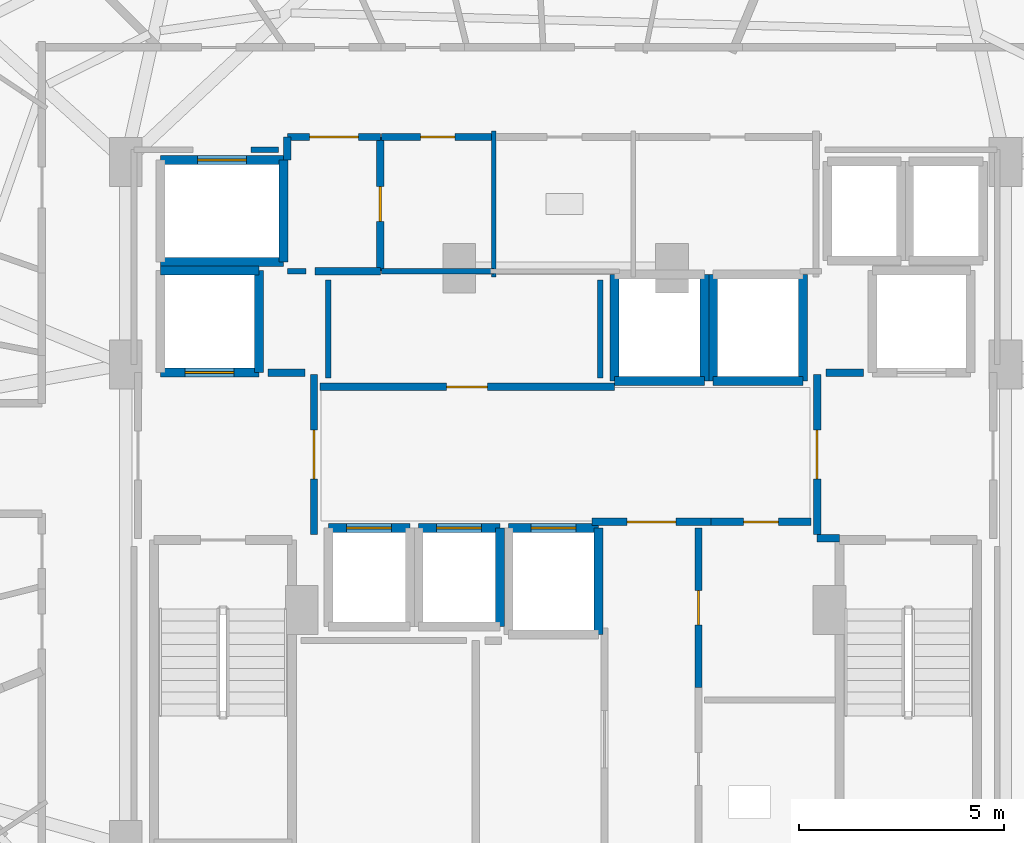
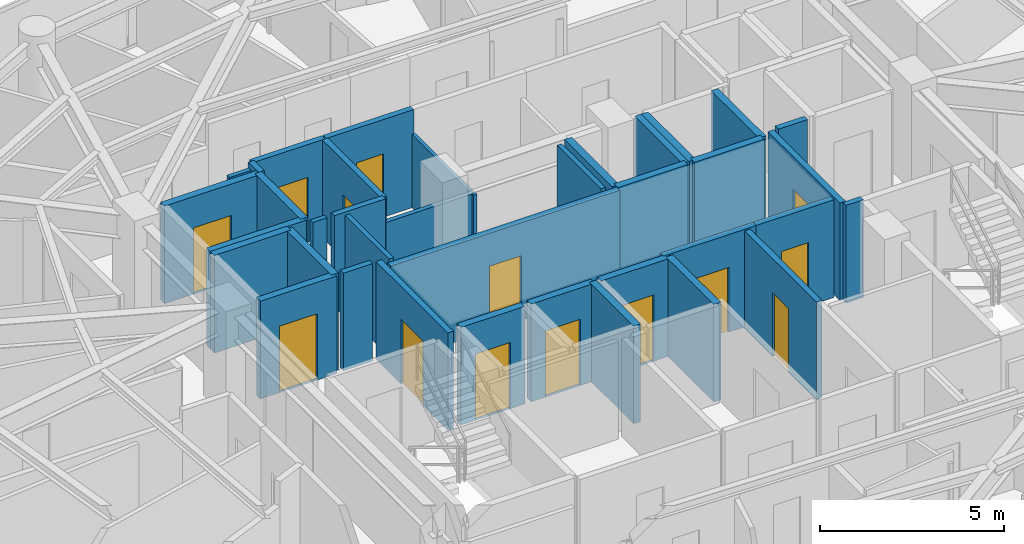
# One storey, part 22 of 28: 37 walls, 14 doors, 14 openings.
"""IFC4 building model written with IfcOpenShell, lengths in metres."""

import ifcopenshell
import ifcopenshell.guid

model = None  # the IFC model being written
_history = None  # IfcOwnerHistory: only IFC2X3 demands one
_inside = {}  # id of a spatial element -> (the spatial element, [elements in it])
_under = {}  # id of a project, library or spatial element -> (it, [spatial elements below it])
_declared = {}  # id of a project -> (the project, [libraries it declares])
_typed = {}  # id of a type object -> (the type object, [elements of that type])
_made_of = {}  # id of a material, layer set ... -> (it, [elements and type objects made of it])


def new_model(schema):
    """Start an empty IFC model of exactly this schema.

    Asked for "IFC4X3", IfcOpenShell would pick the latest addendum, in which some entities
    have other attributes; the version numbers below select the first issue.
    IFC2X3 requires an IfcOwnerHistory on every rooted entity: one is made here for all.
    """
    global model, _history
    if schema == "IFC4X3":
        model = ifcopenshell.file(schema_version=(4, 3, 0, 0))
    else:
        model = ifcopenshell.file(schema=schema)
    _inside.clear()
    _under.clear()
    _declared.clear()
    _typed.clear()
    _made_of.clear()
    _history = None
    if model.schema == "IFC2X3":
        org = make("IfcOrganization", Name="unknown")
        user = make(
            "IfcPersonAndOrganization",
            ThePerson=make("IfcPerson", FamilyName="unknown"),
            TheOrganization=org,
        )
        app = make(
            "IfcApplication",
            ApplicationDeveloper=org,
            Version="unknown",
            ApplicationFullName="unknown",
            ApplicationIdentifier="unknown",
        )
        _history = make(
            "IfcOwnerHistory",
            OwningUser=user,
            OwningApplication=app,
            ChangeAction="ADDED",
            CreationDate=0,
        )
    return model


def make(cls, **values):
    """One entity of the class cls with the attributes given. An attribute that is None is left unset."""
    return model.create_entity(
        cls, **{name: value for name, value in values.items() if value is not None}
    )


def rooted(cls, **values):
    """An entity with a GlobalId (a new one), such as an element, a storey or a relation."""
    return make(cls, GlobalId=ifcopenshell.guid.new(), OwnerHistory=_history, **values)


def si_unit(unit_type, name, prefix=None):
    """IfcSIUnit, for example si_unit("LENGTHUNIT", "METRE", prefix="MILLI")."""
    return make("IfcSIUnit", UnitType=unit_type, Prefix=prefix, Name=name)


def assignment(units):
    """IfcUnitAssignment: the units of a project."""
    return None if units is None else make("IfcUnitAssignment", Units=units)


def point(xyz):
    """IfcCartesianPoint."""
    return None if xyz is None else make("IfcCartesianPoint", Coordinates=xyz)


def direction(xyz):
    """IfcDirection."""
    return None if xyz is None else make("IfcDirection", DirectionRatios=xyz)


def frame(location, z_axis=None, x_axis=None):
    """IfcAxis2Placement3D, a coordinate frame: its origin and axes. An axis left out is left unset."""
    return make(
        "IfcAxis2Placement3D",
        Location=point(location),
        Axis=direction(z_axis),
        RefDirection=direction(x_axis),
    )


def frame_2d(location, x_axis=None):
    """IfcAxis2Placement2D, a coordinate frame in the plane: its origin and x axis."""
    return make(
        "IfcAxis2Placement2D", Location=point(location), RefDirection=direction(x_axis)
    )


def origin():
    """The frame at (0, 0, 0) with its axes left unset."""
    return frame((0.0, 0.0, 0.0))


def place(relative_to, where):
    """IfcLocalPlacement: puts the frame where relative to a parent placement (None: the world)."""
    return make(
        "IfcLocalPlacement", PlacementRelTo=relative_to, RelativePlacement=where
    )


def context(
    kind, dimensions, precision=None, world=None, true_north=None, identifier=None
):
    """IfcGeometricRepresentationContext, for example the 3D "Model" context."""
    return make(
        "IfcGeometricRepresentationContext",
        ContextIdentifier=identifier,
        ContextType=kind,
        CoordinateSpaceDimension=dimensions,
        Precision=precision,
        WorldCoordinateSystem=world,
        TrueNorth=true_north,
    )


def subcontext(parent, identifier, kind, view, scale=None):
    """IfcGeometricRepresentationSubContext, for example "Body" below "Model"."""
    return make(
        "IfcGeometricRepresentationSubContext",
        ContextIdentifier=identifier,
        ContextType=kind,
        ParentContext=parent,
        TargetScale=scale,
        TargetView=view,
    )


def project(units=None, contexts=None):
    """IfcProject with its units and contexts."""
    return rooted(
        "IfcProject",
        Name="project",
        RepresentationContexts=contexts,
        UnitsInContext=assignment(units),
    )


def spatial(cls, under=None, at=None, **own):
    """A site, building, storey or space (cls), placed at a placement, below another one or the project."""
    s = rooted(cls, ObjectPlacement=at, **own)
    if under is not None:
        _under.setdefault(under.id(), (under, []))[1].append(s)
    return s


def profile(cls, at=None, kind="AREA", **sizes):
    """A parametric profile (cls). Its sizes go by their IFC names, for example OverallWidth=200.0."""
    return make(cls, ProfileType=kind, Position=at, **sizes)


def rectangle(**sizes):
    """IfcRectangleProfileDef."""
    return profile("IfcRectangleProfileDef", **sizes)


def extrude(swept, where, along, depth):
    """IfcExtrudedAreaSolid: the profile swept, set in the frame where, extruded along a direction by depth."""
    return make(
        "IfcExtrudedAreaSolid",
        SweptArea=swept,
        Position=where,
        ExtrudedDirection=direction(along),
        Depth=depth,
    )


def shape(context_of_items, identifier, shape_type, items):
    """IfcShapeRepresentation: the items that make up one representation, for example the "Body"."""
    return make(
        "IfcShapeRepresentation",
        ContextOfItems=context_of_items,
        RepresentationIdentifier=identifier,
        RepresentationType=shape_type,
        Items=items,
    )


def material(Name=None, Category=None):
    """IfcMaterial."""
    return make("IfcMaterial", Name=Name, Category=Category)


def layer(
    of_material, thickness, ventilated=None, Name=None, Category=None, Priority=None
):
    """IfcMaterialLayer: one layer of a wall or slab, of a material (None: an air gap)."""
    return make(
        "IfcMaterialLayer",
        Material=of_material,
        LayerThickness=thickness,
        IsVentilated=ventilated,
        Name=Name,
        Category=Category,
        Priority=Priority,
    )


def layer_set(layers, Name=None):
    """IfcMaterialLayerSet."""
    return make("IfcMaterialLayerSet", MaterialLayers=layers, LayerSetName=Name)


def made_of(thing, what):
    """Note that an element or type object is made of a material, layer set ...; save() writes the relation."""
    if what is not None:
        _made_of.setdefault(what.id(), (what, []))[1].append(thing)
    return thing


def type_object(cls, material=None, **own):
    """A type object (cls), such as IfcWallType, which elements share."""
    return made_of(rooted(cls, **own), material)


def element(
    cls,
    number,
    at=None,
    inside=None,
    cuts=None,
    type_object=None,
    material=None,
    context=None,
    identifier="Body",
    shape_type=None,
    held_by="IfcProductDefinitionShape",
    body=None,
    shapes=None,
    **own,
):
    """One element of the class cls, such as IfcWall. Its Tag is "e" and its number.

    at: its placement. inside: the storey or other place that contains it. cuts: it is an
    opening in that element (IfcRelVoidsElement). A single representation is given by context,
    identifier, shape_type and body (its items); several are given by shapes. held_by: the class
    of the entity that holds the representations. save() writes the other relations.
    """
    e = rooted(cls, Tag="e%d" % number, ObjectPlacement=at, **own)
    if body is not None:
        shapes = [shape(context, identifier, shape_type, body)]
    if shapes is not None:
        e.Representation = make(held_by, Representations=shapes)
    if inside is not None:
        _inside.setdefault(inside.id(), (inside, []))[1].append(e)
    if cuts is not None:
        rooted(
            "IfcRelVoidsElement", RelatingBuildingElement=cuts, RelatedOpeningElement=e
        )
    if type_object is not None:
        _typed.setdefault(type_object.id(), (type_object, []))[1].append(e)
    return made_of(e, material)


def fill(opening, filler):
    """IfcRelFillsElement: the door or window that sits in an opening."""
    return rooted(
        "IfcRelFillsElement",
        RelatingOpeningElement=opening,
        RelatedBuildingElement=filler,
    )


def aggregate(whole, parts):
    """IfcRelAggregates: a whole, such as a stair, and the parts it consists of."""
    return rooted("IfcRelAggregates", RelatingObject=whole, RelatedObjects=parts)


def save(model, path):
    """Write the relations noted so far, then the file.

    IfcRelAggregates (storeys below a building ...), IfcRelContainedInSpatialStructure (elements
    in a storey), IfcRelDefinesByType, IfcRelAssociatesMaterial and IfcRelDeclares: one each for
    every whole, place, type object, material and project.
    """
    for whole, parts in _under.values():
        aggregate(whole, parts)
    for where, things in _inside.values():
        rooted(
            "IfcRelContainedInSpatialStructure",
            RelatedElements=things,
            RelatingStructure=where,
        )
    for kind, things in _typed.values():
        rooted("IfcRelDefinesByType", RelatedObjects=things, RelatingType=kind)
    for what, things in _made_of.values():
        rooted("IfcRelAssociatesMaterial", RelatedObjects=things, RelatingMaterial=what)
    for by, libraries in _declared.values():
        rooted("IfcRelDeclares", RelatingContext=by, RelatedDefinitions=libraries)
    model.write(path)


model = new_model("IFC4")

# Units and contexts
model_context = context("Model", 3, precision=1e-05, world=origin(), true_north=direction((0.0, 1.0)))
body_context = subcontext(model_context, "Body", "Model", "MODEL_VIEW")
ifc_project = project(units=[si_unit("LENGTHUNIT", "METRE"), si_unit("AREAUNIT", "SQUARE_METRE"), si_unit("VOLUMEUNIT", "CUBIC_METRE"), si_unit("PLANEANGLEUNIT", "RADIAN"), si_unit("MASSUNIT", "GRAM", prefix="KILO")], contexts=[model_context])

# Site, building, storey
site_placement = place(None, origin())
site = spatial("IfcSite", under=ifc_project, at=site_placement, CompositionType="ELEMENT")
building_placement = place(site_placement, origin())
building = spatial("IfcBuilding", under=site, at=building_placement, Name="Vorneva Point Tower", CompositionType="ELEMENT")
storey_placement = place(building_placement, frame((0.0, 0.0, 164.10009765625)))
storey = spatial("IfcBuildingStorey", under=building, at=storey_placement, Name="L44", CompositionType="ELEMENT", Elevation=164.10009765625)

# Wall, opening, door
ifc_material_1 = material(Name="Concrete B60 (C50/60)", Category="concrete")
ifc_layer_1 = layer(ifc_material_1, 0.5)
ifc_layer_set_1 = layer_set([ifc_layer_1], Name="Concrete B60 (C50/60)")
wall_type_1 = type_object("IfcWallType", Name="WL-CORE-500", PredefinedType="SHEAR", material=ifc_layer_set_1)
wall_1_placement = place(storey_placement, frame((28.10009765625, 28.0, 0.0), z_axis=(0.0, 0.0, 1.0), x_axis=(1.0, 0.0, 0.0)))
wall_1 = element("IfcWall", 1, at=wall_1_placement, inside=storey, type_object=wall_type_1, Name="L44 Lift FFL1 Shaft Wall -Y", PredefinedType="SHEAR", context=body_context, shape_type="SweptSolid", body=[
    extrude(rectangle(XDim=2.39990234375, YDim=0.219970703125, at=frame_2d((1.199951171875, 0.0))), origin(), (0.0, 0.0, 1.0), 3.239990234375),
])
opening_1_placement = place(wall_1_placement, frame((0.60009765625, 0.0, 0.0)))
opening_1 = element("IfcOpeningElement", 2, at=opening_1_placement, cuts=wall_1, Name="Opening LD-02", PredefinedType="OPENING", context=body_context, shape_type="SweptSolid", body=[
    extrude(rectangle(XDim=1.199951171875, YDim=2.199951171875, at=frame_2d((0.60009765625, 1.10009765625))), frame((0.0, 0.125, 0.0), z_axis=(0.0, -1.0, 0.0), x_axis=(1.0, 0.0, 0.0)), (0.0, 0.0, 1.0), 0.249755859375),
])
ifc_material_2 = material(Name="Brushed stainless steel S304", Category="steel")
door_type_1 = type_object("IfcDoorType", Name="LD-FIRE-1200", OperationType="SLIDING_TO_LEFT", PredefinedType="DOOR", material=ifc_material_2)
door_1_placement = place(opening_1_placement, origin())
door_1 = element("IfcDoor", 3, at=door_1_placement, inside=storey, type_object=door_type_1, Name="L44 Lift FFL1 Sliding Landing Door", OperationType="SLIDING_TO_LEFT", OverallHeight=2.199951171875, OverallWidth=1.199951171875, PredefinedType="DOOR", context=body_context, shape_type="SweptSolid", body=[
    extrude(rectangle(XDim=1.199951171875, YDim=2.199951171875, at=frame_2d((0.60009765625, 1.10009765625))), frame((0.0, 0.02490234375, 0.0), z_axis=(0.0, -1.0, 0.0), x_axis=(1.0, 0.0, 0.0)), (0.0, 0.0, 1.0), 0.050048828125),
])
fill(opening_1, door_1)

# Walls
wall_2_placement = place(storey_placement, frame((30.5, 28.0, 0.0), z_axis=(0.0, 0.0, 1.0), x_axis=(0.0, 1.0, 0.0)))
element("IfcWall", 4, at=wall_2_placement, inside=storey, type_object=wall_type_1, Name="L44 Lift FFL1 Shaft Wall +X", PredefinedType="SHEAR", context=body_context, shape_type="SweptSolid", body=[
    extrude(rectangle(XDim=2.5, YDim=0.219970703125, at=frame_2d((1.25, 0.0))), origin(), (0.0, 0.0, 1.0), 3.239990234375),
])
wall_3_placement = place(storey_placement, frame((30.5, 30.5, 0.0), z_axis=(0.0, 0.0, 1.0), x_axis=(-1.0, 0.0, 0.0)))
element("IfcWall", 5, at=wall_3_placement, inside=storey, type_object=wall_type_1, Name="L44 Lift FFL1 Shaft Wall +Y", PredefinedType="SHEAR", context=body_context, shape_type="SweptSolid", body=[
    extrude(rectangle(XDim=2.39990234375, YDim=0.219970703125, at=frame_2d((1.199951171875, 0.0))), origin(), (0.0, 0.0, 1.0), 3.239990234375),
])
ifc_material_3 = material(Name="Fire-rated acoustic gypsum stud partition", Category="gypsum")
ifc_layer_2 = layer(ifc_material_3, 0.110107421875)
ifc_layer_set_2 = layer_set([ifc_layer_2], Name="Fire-rated acoustic gypsum stud partition")
wall_type_2 = type_object("IfcWallType", Name="WL-PART-110", PredefinedType="PARTITIONING", material=ifc_layer_set_2)
wall_4_placement = place(storey_placement, frame((36.25, 30.340087890625, 0.0), z_axis=(0.0, 0.0, 1.0), x_axis=(0.0, 1.0, 0.0)))
element("IfcWall", 6, at=wall_4_placement, inside=storey, type_object=wall_type_2, Name="L44 Interior Partition 019", PredefinedType="PARTITIONING", context=body_context, shape_type="SweptSolid", body=[
    extrude(rectangle(XDim=3.559814453125, YDim=0.110107421875, at=frame_2d((1.77978515625, 0.0))), origin(), (0.0, 0.0, 1.0), 2.431884765625),
])
ifc_layer_3 = layer(ifc_material_3, 0.139892578125)
ifc_layer_set_3 = layer_set([ifc_layer_3], Name="Fire-rated acoustic gypsum stud partition")
wall_type_3 = type_object("IfcWallType", Name="WL-PART-140", PredefinedType="PARTITIONING", material=ifc_layer_set_3)
wall_5_placement = place(storey_placement, frame((33.5, 30.47998046875, 0.0), z_axis=(0.0, 0.0, 1.0), x_axis=(1.0, 0.0, 0.0)))
element("IfcWall", 7, at=wall_5_placement, inside=storey, type_object=wall_type_3, Name="L44 Interior Partition 020", PredefinedType="PARTITIONING", context=body_context, shape_type="SweptSolid", body=[
    extrude(rectangle(XDim=2.75, YDim=0.139892578125, at=frame_2d((1.375, 0.0))), origin(), (0.0, 0.0, 1.0), 2.431884765625),
])
wall_6_placement = place(storey_placement, frame((31.199951171875, 30.47998046875, 0.0), z_axis=(0.0, 0.0, 1.0), x_axis=(1.0, 0.0, 0.0)))
element("IfcWall", 8, at=wall_6_placement, inside=storey, type_object=wall_type_3, Name="L44 Interior Closure Partition 129", PredefinedType="PARTITIONING", context=body_context, shape_type="SweptSolid", body=[
    extrude(rectangle(XDim=0.449951171875, YDim=0.139892578125, at=frame_2d((0.22509765625, 0.0))), origin(), (0.0, 0.0, 1.0), 3.239990234375),
])
for number, where, z_axis, x_axis, name in (
    (9, (32.199951171875, 30.260009765625, 0.0), (0.0, 0.0, 1.0), (0.0, -1.0, 0.0), "L44 Interior Closure Partition 134"),
    (10, (38.85009765625, 27.8701171875, 0.0), (0.0, 0.0, 1.0), (0.0, 1.0, 0.0), "L44 Interior Closure Partition 135"),
):
    element("IfcWall", number, at=place(storey_placement, frame(where, z_axis=z_axis, x_axis=x_axis)), inside=storey, type_object=wall_type_3, Name=name, PredefinedType="PARTITIONING", context=body_context, shape_type="SweptSolid", body=[
        extrude(rectangle(XDim=2.389892578125, YDim=0.139892578125, at=frame_2d((1.19482421875, 0.0))), origin(), (0.0, 0.0, 1.0), 3.239990234375),
    ])
wall_7_placement = place(storey_placement, frame((30.97998046875, 33.449951171875, 0.0), z_axis=(0.0, 0.0, 1.0), x_axis=(-1.0, 0.0, 0.0)))
element("IfcWall", 11, at=wall_7_placement, inside=storey, type_object=wall_type_3, Name="L44 Interior Closure Partition 139", PredefinedType="PARTITIONING", context=body_context, shape_type="SweptSolid", body=[
    extrude(rectangle(XDim=0.674072265625, YDim=0.139892578125, at=frame_2d((0.3369140625, 0.0))), origin(), (0.0, 0.0, 1.0), 3.239990234375),
])

# Wall, opening, door
ifc_material_4 = material(Name="Autoclaved aerated concrete blockwork", Category="masonry")
ifc_layer_4 = layer(ifc_material_4, 0.179931640625)
ifc_layer_set_4 = layer_set([ifc_layer_4], Name="Autoclaved aerated concrete blockwork")
wall_type_4 = type_object("IfcWallType", Name="WL-PART-180", PredefinedType="PARTITIONING", material=ifc_layer_set_4)
wall_8_placement = place(storey_placement, frame((31.85009765625, 24.044921875, 0.0), z_axis=(0.0, 0.0, 1.0), x_axis=(0.0, 1.0, 0.0)))
wall_8 = element("IfcWall", 12, at=wall_8_placement, inside=storey, type_object=wall_type_4, Name="L44 Interior Partition 001", PredefinedType="PARTITIONING", context=body_context, shape_type="SweptSolid", body=[
    extrude(rectangle(XDim=3.91015625, YDim=0.179931640625, at=frame_2d((1.955078125, 0.0))), origin(), (0.0, 0.0, 1.0), 3.239990234375),
])
opening_2_placement = place(wall_8_placement, frame((1.35498046875, 0.0, 0.0)))
opening_2 = element("IfcOpeningElement", 13, at=opening_2_placement, cuts=wall_8, Name="Opening FD-02", PredefinedType="OPENING", context=body_context, shape_type="SweptSolid", body=[
    extrude(rectangle(XDim=1.199951171875, YDim=2.14990234375, at=frame_2d((0.60009765625, 1.074951171875))), frame((0.0, 0.10498046875, 0.0), z_axis=(0.0, -1.0, 0.0), x_axis=(1.0, 0.0, 0.0)), (0.0, 0.0, 1.0), 0.209716796875),
])
ifc_material_5 = material(Name="Fire-rated powder-coated steel", Category="steel")
door_type_2 = type_object("IfcDoorType", Name="DR-FFL-1200", OperationType="NOTDEFINED", PredefinedType="DOOR", material=ifc_material_5)
door_2_placement = place(opening_2_placement, origin())
door_2 = element("IfcDoor", 14, at=door_2_placement, inside=storey, type_object=door_type_2, Name="L44 Door West Firefighting Lobby / Central Lift Lobby", OperationType="SINGLE_SWING_RIGHT", OverallHeight=2.14990234375, OverallWidth=1.199951171875, PredefinedType="DOOR", context=body_context, shape_type="SweptSolid", body=[
    extrude(rectangle(XDim=1.199951171875, YDim=2.14990234375, at=frame_2d((0.60009765625, 1.074951171875))), frame((0.0, 0.02490234375, 0.0), z_axis=(0.0, -1.0, 0.0), x_axis=(1.0, 0.0, 0.0)), (0.0, 0.0, 1.0), 0.050048828125),
])
fill(opening_2, door_2)

wall_9_placement = place(storey_placement, frame((44.14990234375, 27.955078125, 0.0), z_axis=(0.0, 0.0, 1.0), x_axis=(0.0, -1.0, 0.0)))
wall_9 = element("IfcWall", 15, at=wall_9_placement, inside=storey, type_object=wall_type_4, Name="L44 Interior Partition 003", PredefinedType="PARTITIONING", context=body_context, shape_type="SweptSolid", body=[
    extrude(rectangle(XDim=3.91015625, YDim=0.179931640625, at=frame_2d((1.955078125, 0.0))), origin(), (0.0, 0.0, 1.0), 3.239990234375),
])
opening_3_placement = place(wall_9_placement, frame((1.35498046875, 0.0, 0.0)))
opening_3 = element("IfcOpeningElement", 16, at=opening_3_placement, cuts=wall_9, Name="Opening FD-02", PredefinedType="OPENING", context=body_context, shape_type="SweptSolid", body=[
    extrude(rectangle(XDim=1.199951171875, YDim=2.14990234375, at=frame_2d((0.60009765625, 1.074951171875))), frame((0.0, 0.10498046875, 0.0), z_axis=(0.0, -1.0, 0.0), x_axis=(1.0, 0.0, 0.0)), (0.0, 0.0, 1.0), 0.209716796875),
])
door_3_placement = place(opening_3_placement, origin())
door_3 = element("IfcDoor", 17, at=door_3_placement, inside=storey, type_object=door_type_2, Name="L44 Door East Firefighting Lobby / Central Lift Lobby", OperationType="SINGLE_SWING_RIGHT", OverallHeight=2.14990234375, OverallWidth=1.199951171875, PredefinedType="DOOR", context=body_context, shape_type="SweptSolid", body=[
    extrude(rectangle(XDim=1.199951171875, YDim=2.14990234375, at=frame_2d((0.60009765625, 1.074951171875))), frame((0.0, 0.02490234375, 0.0), z_axis=(0.0, -1.0, 0.0), x_axis=(1.0, 0.0, 0.0)), (0.0, 0.0, 1.0), 0.050048828125),
])
fill(opening_3, door_3)

# Wall
wall_10_placement = place(storey_placement, frame((44.14990234375, 23.949951171875, 0.0), z_axis=(0.0, 0.0, 1.0), x_axis=(1.0, 0.0, 0.0)))
element("IfcWall", 18, at=wall_10_placement, inside=storey, type_object=wall_type_4, Name="L44 Interior Partition 004", PredefinedType="PARTITIONING", context=body_context, shape_type="SweptSolid", body=[
    extrude(rectangle(XDim=0.5400390625, YDim=0.179931640625, at=frame_2d((0.27001953125, 0.0))), origin(), (0.0, 0.0, 1.0), 3.239990234375),
])

# Wall, opening, door
wall_11_placement = place(storey_placement, frame((33.469970703125, 30.47998046875, 0.0), z_axis=(0.0, 0.0, 1.0), x_axis=(0.0, 1.0, 0.0)))
wall_11 = element("IfcWall", 19, at=wall_11_placement, inside=storey, type_object=wall_type_4, Name="L44 Interior Partition 006", PredefinedType="PARTITIONING", context=body_context, shape_type="SweptSolid", body=[
    extrude(rectangle(XDim=3.280029296875, YDim=0.179931640625, at=frame_2d((1.64013671875, 0.0))), origin(), (0.0, 0.0, 1.0), 3.239990234375),
])
opening_4_placement = place(wall_11_placement, frame((1.215087890625, 0.0, 0.0)))
opening_4 = element("IfcOpeningElement", 20, at=opening_4_placement, cuts=wall_11, Name="Opening ID-02", PredefinedType="OPENING", context=body_context, shape_type="SweptSolid", body=[
    extrude(rectangle(XDim=0.85009765625, YDim=2.10009765625, at=frame_2d((0.425048828125, 1.050048828125))), frame((0.0, 0.10498046875, 0.0), z_axis=(0.0, -1.0, 0.0), x_axis=(1.0, 0.0, 0.0)), (0.0, 0.0, 1.0), 0.209716796875),
])
ifc_material_6 = material(Name="Engineered oak fire-rated door leaf", Category="wood")
door_type_3 = type_object("IfcDoorType", Name="DR-BATH-850", OperationType="NOTDEFINED", PredefinedType="DOOR", material=ifc_material_6)
door_4_placement = place(opening_4_placement, origin())
door_4 = element("IfcDoor", 21, at=door_4_placement, inside=storey, type_object=door_type_3, Name="L44 Door Service Lift Lobby / Core Supply Store", OperationType="SINGLE_SWING_RIGHT", OverallHeight=2.10009765625, OverallWidth=0.85009765625, PredefinedType="DOOR", context=body_context, shape_type="SweptSolid", body=[
    extrude(rectangle(XDim=0.85009765625, YDim=2.10009765625, at=frame_2d((0.425048828125, 1.050048828125))), frame((0.0, 0.02490234375, 0.0), z_axis=(0.0, -1.0, 0.0), x_axis=(1.0, 0.0, 0.0)), (0.0, 0.0, 1.0), 0.050048828125),
])
fill(opening_4, door_4)

# Wall
wall_12_placement = place(storey_placement, frame((31.8701171875, 30.47998046875, 0.0), z_axis=(0.0, 0.0, 1.0), x_axis=(1.0, 0.0, 0.0)))
element("IfcWall", 22, at=wall_12_placement, inside=storey, type_object=wall_type_4, Name="L44 Interior Partition 007", PredefinedType="PARTITIONING", context=body_context, shape_type="SweptSolid", body=[
    extrude(rectangle(XDim=1.599853515625, YDim=0.179931640625, at=frame_2d((0.7998046875, 0.0))), origin(), (0.0, 0.0, 1.0), 3.239990234375),
])

# Wall, opening, door
wall_13_placement = place(storey_placement, frame((33.469970703125, 33.760009765625, 0.0), z_axis=(0.0, 0.0, 1.0), x_axis=(-1.0, 0.0, 0.0)))
wall_13 = element("IfcWall", 23, at=wall_13_placement, inside=storey, type_object=wall_type_4, Name="L44 Interior Partition 008", PredefinedType="PARTITIONING", context=body_context, shape_type="SweptSolid", body=[
    extrude(rectangle(XDim=2.27001953125, YDim=0.179931640625, at=frame_2d((1.135009765625, 0.0))), origin(), (0.0, 0.0, 1.0), 3.239990234375),
])
opening_5_placement = place(wall_13_placement, frame((0.534912109375, 0.0, 0.0)))
opening_5 = element("IfcOpeningElement", 24, at=opening_5_placement, cuts=wall_13, Name="Opening FD-02", PredefinedType="OPENING", context=body_context, shape_type="SweptSolid", body=[
    extrude(rectangle(XDim=1.199951171875, YDim=2.14990234375, at=frame_2d((0.60009765625, 1.074951171875))), frame((0.0, 0.10498046875, 0.0), z_axis=(0.0, -1.0, 0.0), x_axis=(1.0, 0.0, 0.0)), (0.0, 0.0, 1.0), 0.209716796875),
])
door_5_placement = place(opening_5_placement, origin())
door_5 = element("IfcDoor", 25, at=door_5_placement, inside=storey, type_object=door_type_2, Name="L44 Door Service Lift Lobby / L44 Circulation Corridor", OperationType="SINGLE_SWING_LEFT", OverallHeight=2.14990234375, OverallWidth=1.199951171875, PredefinedType="DOOR", context=body_context, shape_type="SweptSolid", body=[
    extrude(rectangle(XDim=1.199951171875, YDim=2.14990234375, at=frame_2d((0.60009765625, 1.074951171875))), frame((0.0, 0.02490234375, 0.0), z_axis=(0.0, -1.0, 0.0), x_axis=(1.0, 0.0, 0.0)), (0.0, 0.0, 1.0), 0.050048828125),
])
fill(opening_5, door_5)

# Wall
wall_14_placement = place(storey_placement, frame((31.199951171875, 33.760009765625, 0.0), z_axis=(0.0, 0.0, 1.0), x_axis=(0.0, -1.0, 0.0)))
element("IfcWall", 26, at=wall_14_placement, inside=storey, type_object=wall_type_4, Name="L44 Interior Partition 009", PredefinedType="PARTITIONING", context=body_context, shape_type="SweptSolid", body=[
    extrude(rectangle(XDim=0.56005859375, YDim=0.179931640625, at=frame_2d((0.280029296875, 0.0))), origin(), (0.0, 0.0, 1.0), 3.239990234375),
])

# Wall, opening, door
wall_15_placement = place(storey_placement, frame((38.64501953125, 24.35009765625, 0.0), z_axis=(0.0, 0.0, 1.0), x_axis=(1.0, 0.0, 0.0)))
wall_15 = element("IfcWall", 27, at=wall_15_placement, inside=storey, type_object=wall_type_4, Name="L44 Interior Partition 010", PredefinedType="PARTITIONING", context=body_context, shape_type="SweptSolid", body=[
    extrude(rectangle(XDim=2.909912109375, YDim=0.179931640625, at=frame_2d((1.455078125, 0.0))), origin(), (0.0, 0.0, 1.0), 3.239990234375),
])
opening_6_placement = place(wall_15_placement, frame((0.85498046875, 0.0, 0.0)))
opening_6 = element("IfcOpeningElement", 28, at=opening_6_placement, cuts=wall_15, Name="Opening FD-02", PredefinedType="OPENING", context=body_context, shape_type="SweptSolid", body=[
    extrude(rectangle(XDim=1.199951171875, YDim=2.14990234375, at=frame_2d((0.60009765625, 1.074951171875))), frame((0.0, 0.10498046875, 0.0), z_axis=(0.0, -1.0, 0.0), x_axis=(1.0, 0.0, 0.0)), (0.0, 0.0, 1.0), 0.209716796875),
])
door_6_placement = place(opening_6_placement, origin())
door_6 = element("IfcDoor", 29, at=door_6_placement, inside=storey, type_object=door_type_2, Name="L44 Door Central Lift Lobby / Core Service Lobby", OperationType="SINGLE_SWING_RIGHT", OverallHeight=2.14990234375, OverallWidth=1.199951171875, PredefinedType="DOOR", context=body_context, shape_type="SweptSolid", body=[
    extrude(rectangle(XDim=1.199951171875, YDim=2.14990234375, at=frame_2d((0.60009765625, 1.074951171875))), frame((0.0, 0.02490234375, 0.0), z_axis=(0.0, -1.0, 0.0), x_axis=(1.0, 0.0, 0.0)), (0.0, 0.0, 1.0), 0.050048828125),
])
fill(opening_6, door_6)

wall_16_placement = place(storey_placement, frame((41.554931640625, 24.35009765625, 0.0), z_axis=(0.0, 0.0, 1.0), x_axis=(1.0, 0.0, 0.0)))
wall_16 = element("IfcWall", 30, at=wall_16_placement, inside=storey, type_object=wall_type_4, Name="L44 Interior Partition 011", PredefinedType="PARTITIONING", context=body_context, shape_type="SweptSolid", body=[
    extrude(rectangle(XDim=2.445068359375, YDim=0.179931640625, at=frame_2d((1.22265625, 0.0))), origin(), (0.0, 0.0, 1.0), 3.239990234375),
])
opening_7_placement = place(wall_16_placement, frame((0.797607421875, 0.0, 0.0)))
opening_7 = element("IfcOpeningElement", 31, at=opening_7_placement, cuts=wall_16, Name="Opening ID-02", PredefinedType="OPENING", context=body_context, shape_type="SweptSolid", body=[
    extrude(rectangle(XDim=0.85009765625, YDim=2.10009765625, at=frame_2d((0.425048828125, 1.050048828125))), frame((0.0, 0.10498046875, 0.0), z_axis=(0.0, -1.0, 0.0), x_axis=(1.0, 0.0, 0.0)), (0.0, 0.0, 1.0), 0.209716796875),
])
door_7_placement = place(opening_7_placement, origin())
door_7 = element("IfcDoor", 32, at=door_7_placement, inside=storey, type_object=door_type_3, Name="L44 Door Central Lift Lobby / Valet and Parcel Room", OperationType="SINGLE_SWING_LEFT", OverallHeight=2.10009765625, OverallWidth=0.85009765625, PredefinedType="DOOR", context=body_context, shape_type="SweptSolid", body=[
    extrude(rectangle(XDim=0.85009765625, YDim=2.10009765625, at=frame_2d((0.425048828125, 1.050048828125))), frame((0.0, 0.02490234375, 0.0), z_axis=(0.0, -1.0, 0.0), x_axis=(1.0, 0.0, 0.0)), (0.0, 0.0, 1.0), 0.050048828125),
])
fill(opening_7, door_7)

wall_17_placement = place(storey_placement, frame((39.18994140625, 27.64990234375, 0.0), z_axis=(0.0, 0.0, 1.0), x_axis=(-1.0, 0.0, 0.0)))
wall_17 = element("IfcWall", 33, at=wall_17_placement, inside=storey, type_object=wall_type_4, Name="L44 Interior Partition 012", PredefinedType="PARTITIONING", context=body_context, shape_type="SweptSolid", body=[
    extrude(rectangle(XDim=7.18994140625, YDim=0.179931640625, at=frame_2d((3.594970703125, 0.0))), origin(), (0.0, 0.0, 1.0), 3.239990234375),
])
opening_8_placement = place(wall_17_placement, frame((3.094970703125, 0.0, 0.0)))
opening_8 = element("IfcOpeningElement", 34, at=opening_8_placement, cuts=wall_17, Name="Opening UD-01", PredefinedType="OPENING", context=body_context, shape_type="SweptSolid", body=[
    extrude(rectangle(XDim=1.0, YDim=2.14990234375, at=frame_2d((0.5, 1.074951171875))), frame((0.0, 0.10498046875, 0.0), z_axis=(0.0, -1.0, 0.0), x_axis=(1.0, 0.0, 0.0)), (0.0, 0.0, 1.0), 0.209716796875),
])
door_type_4 = type_object("IfcDoorType", Name="DR-UNIT-1000", OperationType="NOTDEFINED", PredefinedType="DOOR", material=ifc_material_6)
door_8_placement = place(opening_8_placement, origin())
door_8 = element("IfcDoor", 35, at=door_8_placement, inside=storey, type_object=door_type_4, Name="L44 Door Central Lift Lobby / Reclaimed Core Meeting Room", OperationType="SINGLE_SWING_RIGHT", OverallHeight=2.14990234375, OverallWidth=1.0, PredefinedType="DOOR", context=body_context, shape_type="SweptSolid", body=[
    extrude(rectangle(XDim=1.0, YDim=2.14990234375, at=frame_2d((0.5, 1.074951171875))), frame((0.0, 0.02490234375, 0.0), z_axis=(0.0, -1.0, 0.0), x_axis=(1.0, 0.0, 0.0)), (0.0, 0.0, 1.0), 0.050048828125),
])
fill(opening_8, door_8)

wall_18_placement = place(storey_placement, frame((41.25, 20.304931640625, 0.0), z_axis=(0.0, 0.0, 1.0), x_axis=(0.0, 1.0, 0.0)))
wall_18 = element("IfcWall", 36, at=wall_18_placement, inside=storey, type_object=wall_type_4, Name="L44 Interior Partition 014", PredefinedType="PARTITIONING", context=body_context, shape_type="SweptSolid", body=[
    extrude(rectangle(XDim=3.89501953125, YDim=0.179931640625, at=frame_2d((1.947509765625, 0.0))), origin(), (0.0, 0.0, 1.0), 3.239990234375),
])
opening_9_placement = place(wall_18_placement, frame((1.5224609375, 0.0, 0.0)))
opening_9 = element("IfcOpeningElement", 37, at=opening_9_placement, cuts=wall_18, Name="Opening ID-02", PredefinedType="OPENING", context=body_context, shape_type="SweptSolid", body=[
    extrude(rectangle(XDim=0.85009765625, YDim=2.10009765625, at=frame_2d((0.425048828125, 1.050048828125))), frame((0.0, 0.10498046875, 0.0), z_axis=(0.0, -1.0, 0.0), x_axis=(1.0, 0.0, 0.0)), (0.0, 0.0, 1.0), 0.209716796875),
])
door_9_placement = place(opening_9_placement, origin())
door_9 = element("IfcDoor", 38, at=door_9_placement, inside=storey, type_object=door_type_3, Name="L44 Door Core Service Lobby / Valet and Parcel Room", OperationType="SINGLE_SWING_RIGHT", OverallHeight=2.10009765625, OverallWidth=0.85009765625, PredefinedType="DOOR", context=body_context, shape_type="SweptSolid", body=[
    extrude(rectangle(XDim=0.85009765625, YDim=2.10009765625, at=frame_2d((0.425048828125, 1.050048828125))), frame((0.0, 0.02490234375, 0.0), z_axis=(0.0, -1.0, 0.0), x_axis=(1.0, 0.0, 0.0)), (0.0, 0.0, 1.0), 0.050048828125),
])
fill(opening_9, door_9)

wall_19_placement = place(storey_placement, frame((36.25, 33.760009765625, 0.0), z_axis=(0.0, 0.0, 1.0), x_axis=(-1.0, 0.0, 0.0)))
wall_19 = element("IfcWall", 39, at=wall_19_placement, inside=storey, type_object=wall_type_4, Name="L44 Interior Partition 021", PredefinedType="PARTITIONING", context=body_context, shape_type="SweptSolid", body=[
    extrude(rectangle(XDim=2.75, YDim=0.179931640625, at=frame_2d((1.375, 0.0))), origin(), (0.0, 0.0, 1.0), 3.239990234375),
])
opening_10_placement = place(wall_19_placement, frame((0.949951171875, 0.0, 0.0)))
opening_10 = element("IfcOpeningElement", 40, at=opening_10_placement, cuts=wall_19, Name="Opening ID-02", PredefinedType="OPENING", context=body_context, shape_type="SweptSolid", body=[
    extrude(rectangle(XDim=0.85009765625, YDim=2.10009765625, at=frame_2d((0.425048828125, 1.050048828125))), frame((0.0, 0.10498046875, 0.0), z_axis=(0.0, -1.0, 0.0), x_axis=(1.0, 0.0, 0.0)), (0.0, 0.0, 1.0), 0.209716796875),
])
door_10_placement = place(opening_10_placement, origin())
door_10 = element("IfcDoor", 41, at=door_10_placement, inside=storey, type_object=door_type_3, Name="L44 Door Core Supply Store / L44 Circulation Corridor", OperationType="SINGLE_SWING_RIGHT", OverallHeight=2.10009765625, OverallWidth=0.85009765625, PredefinedType="DOOR", context=body_context, shape_type="SweptSolid", body=[
    extrude(rectangle(XDim=0.85009765625, YDim=2.10009765625, at=frame_2d((0.425048828125, 1.050048828125))), frame((0.0, 0.02490234375, 0.0), z_axis=(0.0, -1.0, 0.0), x_axis=(1.0, 0.0, 0.0)), (0.0, 0.0, 1.0), 0.050048828125),
])
fill(opening_10, door_10)

# Walls
for number, where, z_axis, x_axis, name in (
    (42, (31.635009765625, 28.0, 0.0), (0.0, 0.0, 1.0), (-1.0, 0.0, 0.0), "L44 Interior Closure Partition 127"),
    (43, (45.280029296875, 28.0, 0.0), (0.0, 0.0, 1.0), (-1.0, 0.0, 0.0), "L44 Interior Closure Partition 128"),
):
    element("IfcWall", number, at=place(storey_placement, frame(where, z_axis=z_axis, x_axis=x_axis)), inside=storey, type_object=wall_type_4, Name=name, PredefinedType="PARTITIONING", context=body_context, shape_type="SweptSolid", body=[
        extrude(rectangle(XDim=0.9150390625, YDim=0.179931640625, at=frame_2d((0.45751953125, 0.0))), origin(), (0.0, 0.0, 1.0), 3.239990234375),
    ])

# Wall, opening, door
ifc_material_7 = material(Name="Concrete B50 (C40/50)", Category="concrete")
ifc_layer_5 = layer(ifc_material_7, 0.219970703125)
ifc_layer_set_5 = layer_set([ifc_layer_5], Name="Concrete B50 (C40/50)")
wall_type_5 = type_object("IfcWallType", Name="WL-SHFT-220", PredefinedType="SOLIDWALL", material=ifc_layer_set_5)
wall_20_placement = place(storey_placement, frame((34.199951171875, 24.199951171875, 0.0), z_axis=(0.0, 0.0, 1.0), x_axis=(-1.0, 0.0, 0.0)))
wall_20 = element("IfcWall", 44, at=wall_20_placement, inside=storey, type_object=wall_type_5, Name="L44 Lift PL4 Shaft Wall +Y", PredefinedType="SOLIDWALL", context=body_context, shape_type="SweptSolid", body=[
    extrude(rectangle(XDim=2.0, YDim=0.219970703125, at=frame_2d((1.0, 0.0))), origin(), (0.0, 0.0, 1.0), 3.239990234375),
])
opening_11_placement = place(wall_20_placement, frame((0.449951171875, 0.0, 0.0)))
opening_11 = element("IfcOpeningElement", 45, at=opening_11_placement, cuts=wall_20, Name="Opening LD-01", PredefinedType="OPENING", context=body_context, shape_type="SweptSolid", body=[
    extrude(rectangle(XDim=1.10009765625, YDim=2.199951171875, at=frame_2d((0.550048828125, 1.10009765625))), frame((0.0, 0.125, 0.0), z_axis=(0.0, -1.0, 0.0), x_axis=(1.0, 0.0, 0.0)), (0.0, 0.0, 1.0), 0.249755859375),
])
door_type_5 = type_object("IfcDoorType", Name="LD-PASS-1100", OperationType="SLIDING_TO_LEFT", PredefinedType="DOOR", material=ifc_material_2)
door_11_placement = place(opening_11_placement, origin())
door_11 = element("IfcDoor", 46, at=door_11_placement, inside=storey, type_object=door_type_5, Name="L44 Lift PL4 Sliding Landing Door", OperationType="SLIDING_TO_LEFT", OverallHeight=2.199951171875, OverallWidth=1.10009765625, PredefinedType="DOOR", context=body_context, shape_type="SweptSolid", body=[
    extrude(rectangle(XDim=1.10009765625, YDim=2.199951171875, at=frame_2d((0.550048828125, 1.10009765625))), frame((0.0, 0.02490234375, 0.0), z_axis=(0.0, -1.0, 0.0), x_axis=(1.0, 0.0, 0.0)), (0.0, 0.0, 1.0), 0.050048828125),
])
fill(opening_11, door_11)

# Wall
wall_21_placement = place(storey_placement, frame((36.39990234375, 21.800048828125, 0.0), z_axis=(0.0, 0.0, 1.0), x_axis=(0.0, 1.0, 0.0)))
element("IfcWall", 47, at=wall_21_placement, inside=storey, type_object=wall_type_5, Name="L44 Lift PL5 Shaft Wall +X", PredefinedType="SOLIDWALL", context=body_context, shape_type="SweptSolid", body=[
    extrude(rectangle(XDim=2.39990234375, YDim=0.219970703125, at=frame_2d((1.199951171875, 0.0))), origin(), (0.0, 0.0, 1.0), 3.239990234375),
])

# Wall, opening, door
wall_22_placement = place(storey_placement, frame((36.39990234375, 24.199951171875, 0.0), z_axis=(0.0, 0.0, 1.0), x_axis=(-1.0, 0.0, 0.0)))
wall_22 = element("IfcWall", 48, at=wall_22_placement, inside=storey, type_object=wall_type_5, Name="L44 Lift PL5 Shaft Wall +Y", PredefinedType="SOLIDWALL", context=body_context, shape_type="SweptSolid", body=[
    extrude(rectangle(XDim=2.0, YDim=0.219970703125, at=frame_2d((1.0, 0.0))), origin(), (0.0, 0.0, 1.0), 3.239990234375),
])
opening_12_placement = place(wall_22_placement, frame((0.449951171875, 0.0, 0.0)))
opening_12 = element("IfcOpeningElement", 49, at=opening_12_placement, cuts=wall_22, Name="Opening LD-01", PredefinedType="OPENING", context=body_context, shape_type="SweptSolid", body=[
    extrude(rectangle(XDim=1.10009765625, YDim=2.199951171875, at=frame_2d((0.550048828125, 1.10009765625))), frame((0.0, 0.125, 0.0), z_axis=(0.0, -1.0, 0.0), x_axis=(1.0, 0.0, 0.0)), (0.0, 0.0, 1.0), 0.249755859375),
])
door_12_placement = place(opening_12_placement, origin())
door_12 = element("IfcDoor", 50, at=door_12_placement, inside=storey, type_object=door_type_5, Name="L44 Lift PL5 Sliding Landing Door", OperationType="SLIDING_TO_LEFT", OverallHeight=2.199951171875, OverallWidth=1.10009765625, PredefinedType="DOOR", context=body_context, shape_type="SweptSolid", body=[
    extrude(rectangle(XDim=1.10009765625, YDim=2.199951171875, at=frame_2d((0.550048828125, 1.10009765625))), frame((0.0, 0.02490234375, 0.0), z_axis=(0.0, -1.0, 0.0), x_axis=(1.0, 0.0, 0.0)), (0.0, 0.0, 1.0), 0.050048828125),
])
fill(opening_12, door_12)

# Wall
wall_23_placement = place(storey_placement, frame((38.800048828125, 21.60009765625, 0.0), z_axis=(0.0, 0.0, 1.0), x_axis=(0.0, 1.0, 0.0)))
element("IfcWall", 51, at=wall_23_placement, inside=storey, type_object=wall_type_5, Name="L44 Lift PL6 Shaft Wall +X", PredefinedType="SOLIDWALL", context=body_context, shape_type="SweptSolid", body=[
    extrude(rectangle(XDim=2.599853515625, YDim=0.219970703125, at=frame_2d((1.2998046875, 0.0))), origin(), (0.0, 0.0, 1.0), 3.239990234375),
])

# Wall, opening, door
wall_24_placement = place(storey_placement, frame((38.800048828125, 24.199951171875, 0.0), z_axis=(0.0, 0.0, 1.0), x_axis=(-1.0, 0.0, 0.0)))
wall_24 = element("IfcWall", 52, at=wall_24_placement, inside=storey, type_object=wall_type_5, Name="L44 Lift PL6 Shaft Wall +Y", PredefinedType="SOLIDWALL", context=body_context, shape_type="SweptSolid", body=[
    extrude(rectangle(XDim=2.199951171875, YDim=0.219970703125, at=frame_2d((1.10009765625, 0.0))), origin(), (0.0, 0.0, 1.0), 3.239990234375),
])
opening_13_placement = place(wall_24_placement, frame((0.550048828125, 0.0, 0.0)))
opening_13 = element("IfcOpeningElement", 53, at=opening_13_placement, cuts=wall_24, Name="Opening LD-01", PredefinedType="OPENING", context=body_context, shape_type="SweptSolid", body=[
    extrude(rectangle(XDim=1.10009765625, YDim=2.199951171875, at=frame_2d((0.550048828125, 1.10009765625))), frame((0.0, 0.125, 0.0), z_axis=(0.0, -1.0, 0.0), x_axis=(1.0, 0.0, 0.0)), (0.0, 0.0, 1.0), 0.249755859375),
])
door_13_placement = place(opening_13_placement, origin())
door_13 = element("IfcDoor", 54, at=door_13_placement, inside=storey, type_object=door_type_5, Name="L44 Lift PL6 Sliding Landing Door", OperationType="SLIDING_TO_LEFT", OverallHeight=2.199951171875, OverallWidth=1.10009765625, PredefinedType="DOOR", context=body_context, shape_type="SweptSolid", body=[
    extrude(rectangle(XDim=1.10009765625, YDim=2.199951171875, at=frame_2d((0.550048828125, 1.10009765625))), frame((0.0, 0.02490234375, 0.0), z_axis=(0.0, -1.0, 0.0), x_axis=(1.0, 0.0, 0.0)), (0.0, 0.0, 1.0), 0.050048828125),
])
fill(opening_13, door_13)

# Walls
wall_25_placement = place(storey_placement, frame((39.199951171875, 27.800048828125, 0.0), z_axis=(0.0, 0.0, 1.0), x_axis=(1.0, 0.0, 0.0)))
element("IfcWall", 55, at=wall_25_placement, inside=storey, type_object=wall_type_5, Name="L44 Lift PL7 Shaft Wall -Y", PredefinedType="SOLIDWALL", context=body_context, shape_type="SweptSolid", body=[
    extrude(rectangle(XDim=2.199951171875, YDim=0.219970703125, at=frame_2d((1.10009765625, 0.0))), origin(), (0.0, 0.0, 1.0), 3.239990234375),
])
for number, where, z_axis, x_axis, name in (
    (56, (41.39990234375, 27.800048828125, 0.0), (0.0, 0.0, 1.0), (0.0, 1.0, 0.0), "L44 Lift PL7 Shaft Wall +X"),
    (57, (39.199951171875, 30.39990234375, 0.0), (0.0, 0.0, 1.0), (0.0, -1.0, 0.0), "L44 Lift PL7 Shaft Wall -X"),
):
    element("IfcWall", number, at=place(storey_placement, frame(where, z_axis=z_axis, x_axis=x_axis)), inside=storey, type_object=wall_type_5, Name=name, PredefinedType="SOLIDWALL", context=body_context, shape_type="SweptSolid", body=[
        extrude(rectangle(XDim=2.599853515625, YDim=0.219970703125, at=frame_2d((1.2998046875, 0.0))), origin(), (0.0, 0.0, 1.0), 3.239990234375),
    ])
wall_26_placement = place(storey_placement, frame((41.60009765625, 27.800048828125, 0.0), z_axis=(0.0, 0.0, 1.0), x_axis=(1.0, 0.0, 0.0)))
element("IfcWall", 58, at=wall_26_placement, inside=storey, type_object=wall_type_5, Name="L44 Lift PL8 Shaft Wall -Y", PredefinedType="SOLIDWALL", context=body_context, shape_type="SweptSolid", body=[
    extrude(rectangle(XDim=2.199951171875, YDim=0.219970703125, at=frame_2d((1.10009765625, 0.0))), origin(), (0.0, 0.0, 1.0), 3.239990234375),
])
for number, where, z_axis, x_axis, name in (
    (59, (43.800048828125, 27.800048828125, 0.0), (0.0, 0.0, 1.0), (0.0, 1.0, 0.0), "L44 Lift PL8 Shaft Wall +X"),
    (60, (41.60009765625, 30.39990234375, 0.0), (0.0, 0.0, 1.0), (0.0, -1.0, 0.0), "L44 Lift PL8 Shaft Wall -X"),
):
    element("IfcWall", number, at=place(storey_placement, frame(where, z_axis=z_axis, x_axis=x_axis)), inside=storey, type_object=wall_type_5, Name=name, PredefinedType="SOLIDWALL", context=body_context, shape_type="SweptSolid", body=[
        extrude(rectangle(XDim=2.599853515625, YDim=0.219970703125, at=frame_2d((1.2998046875, 0.0))), origin(), (0.0, 0.0, 1.0), 3.239990234375),
    ])
wall_27_placement = place(storey_placement, frame((28.10009765625, 30.699951171875, 0.0), z_axis=(0.0, 0.0, 1.0), x_axis=(1.0, 0.0, 0.0)))
element("IfcWall", 61, at=wall_27_placement, inside=storey, type_object=wall_type_5, Name="L44 Lift SVL1 Shaft Wall -Y", PredefinedType="SOLIDWALL", context=body_context, shape_type="SweptSolid", body=[
    extrude(rectangle(XDim=3.0, YDim=0.219970703125, at=frame_2d((1.5, 0.0))), origin(), (0.0, 0.0, 1.0), 3.239990234375),
])
wall_28_placement = place(storey_placement, frame((31.10009765625, 30.699951171875, 0.0), z_axis=(0.0, 0.0, 1.0), x_axis=(0.0, 1.0, 0.0)))
element("IfcWall", 62, at=wall_28_placement, inside=storey, type_object=wall_type_5, Name="L44 Lift SVL1 Shaft Wall +X", PredefinedType="SOLIDWALL", context=body_context, shape_type="SweptSolid", body=[
    extrude(rectangle(XDim=2.5, YDim=0.219970703125, at=frame_2d((1.25, 0.0))), origin(), (0.0, 0.0, 1.0), 3.239990234375),
])

# Wall, opening, door
wall_29_placement = place(storey_placement, frame((31.10009765625, 33.199951171875, 0.0), z_axis=(0.0, 0.0, 1.0), x_axis=(-1.0, 0.0, 0.0)))
wall_29 = element("IfcWall", 63, at=wall_29_placement, inside=storey, type_object=wall_type_5, Name="L44 Lift SVL1 Shaft Wall +Y", PredefinedType="SOLIDWALL", context=body_context, shape_type="SweptSolid", body=[
    extrude(rectangle(XDim=3.0, YDim=0.219970703125, at=frame_2d((1.5, 0.0))), origin(), (0.0, 0.0, 1.0), 3.239990234375),
])
opening_14_placement = place(wall_29_placement, frame((0.89990234375, 0.0, 0.0)))
opening_14 = element("IfcOpeningElement", 64, at=opening_14_placement, cuts=wall_29, Name="Opening LD-02", PredefinedType="OPENING", context=body_context, shape_type="SweptSolid", body=[
    extrude(rectangle(XDim=1.199951171875, YDim=2.199951171875, at=frame_2d((0.60009765625, 1.10009765625))), frame((0.0, 0.125, 0.0), z_axis=(0.0, -1.0, 0.0), x_axis=(1.0, 0.0, 0.0)), (0.0, 0.0, 1.0), 0.249755859375),
])
door_14_placement = place(opening_14_placement, origin())
door_14 = element("IfcDoor", 65, at=door_14_placement, inside=storey, type_object=door_type_1, Name="L44 Lift SVL1 Sliding Landing Door", OperationType="SLIDING_TO_LEFT", OverallHeight=2.199951171875, OverallWidth=1.199951171875, PredefinedType="DOOR", context=body_context, shape_type="SweptSolid", body=[
    extrude(rectangle(XDim=1.199951171875, YDim=2.199951171875, at=frame_2d((0.60009765625, 1.10009765625))), frame((0.0, 0.02490234375, 0.0), z_axis=(0.0, -1.0, 0.0), x_axis=(1.0, 0.0, 0.0)), (0.0, 0.0, 1.0), 0.050048828125),
])
fill(opening_14, door_14)

save(model, "model.ifc")
